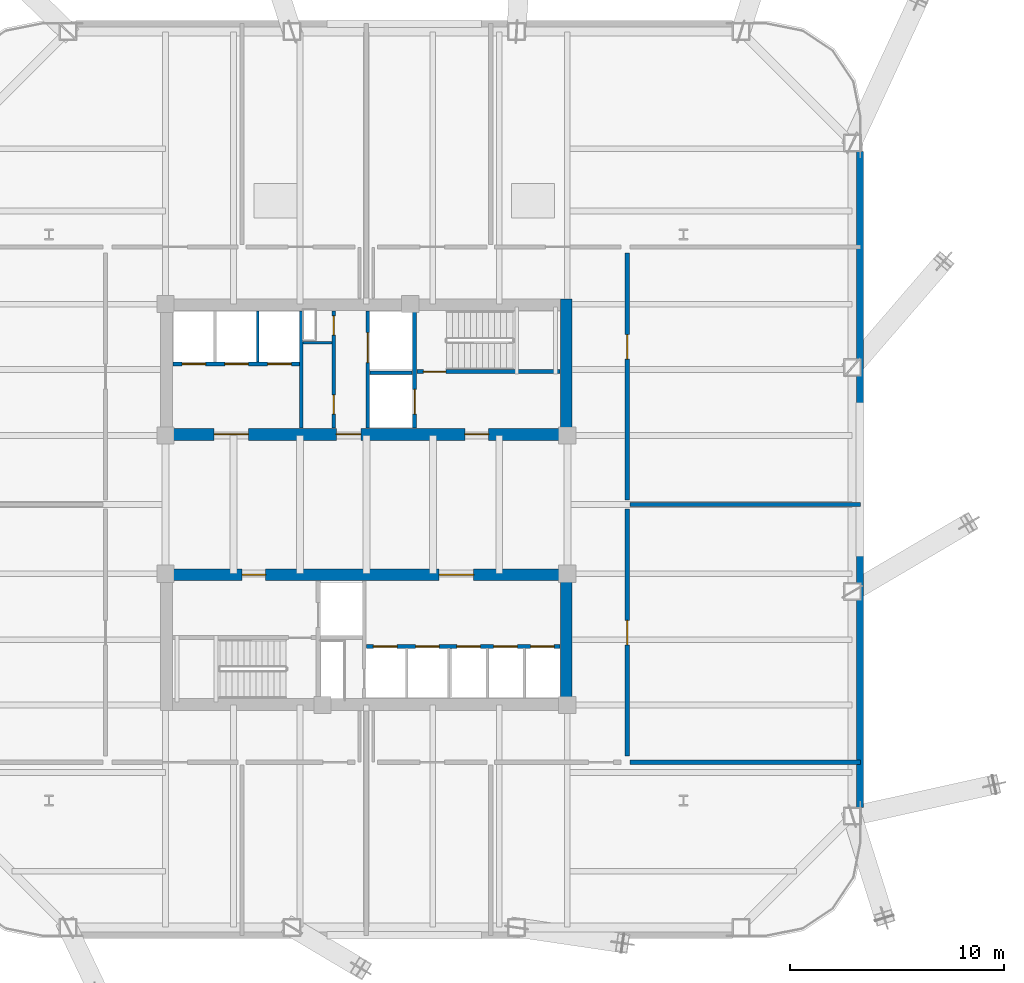
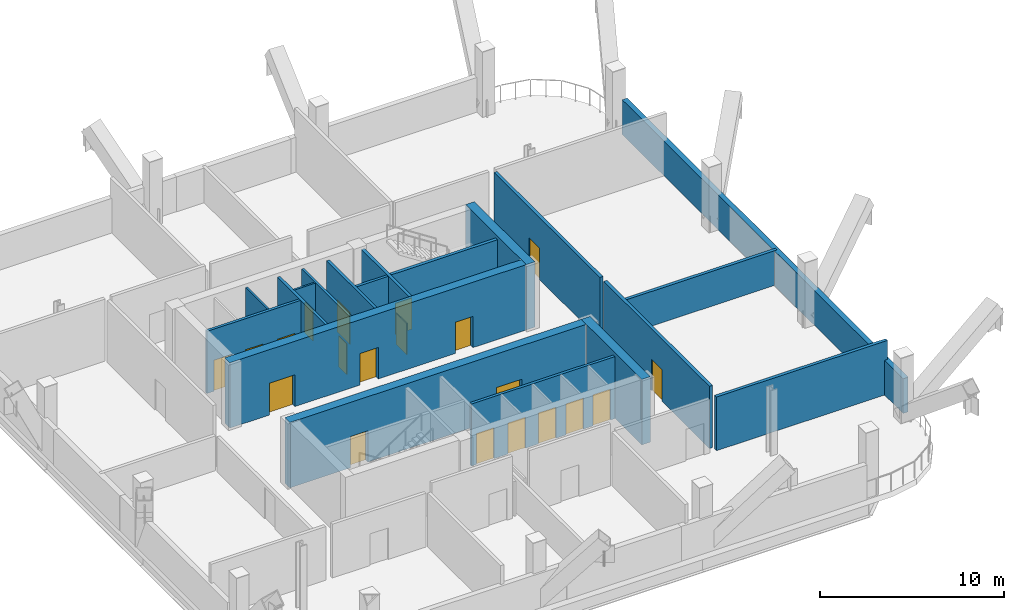
# One storey, part 4 of 8: 20 doors, 19 walls, 20 openings.
"""IFC4 building model written with IfcOpenShell, lengths in metres."""

from ifc_helpers import new_model, si_unit, direction, frame, frame_2d, origin, place, context, subcontext, project, spatial, rectangle, extrude, material, layer, layer_set, type_object, element, fill, save


model = new_model("IFC4")

# Units and contexts
model_context = context("Model", 3, precision=1e-05, world=origin(), true_north=direction((0.0, 1.0)))
body_context = subcontext(model_context, "Body", "Model", "MODEL_VIEW")
ifc_project = project(units=[si_unit("LENGTHUNIT", "METRE"), si_unit("AREAUNIT", "SQUARE_METRE"), si_unit("VOLUMEUNIT", "CUBIC_METRE"), si_unit("PLANEANGLEUNIT", "RADIAN"), si_unit("MASSUNIT", "GRAM", prefix="KILO")], contexts=[model_context])

# Site, building, storey
site_placement = place(None, origin())
site = spatial("IfcSite", under=ifc_project, at=site_placement, CompositionType="ELEMENT")
building_placement = place(site_placement, origin())
building = spatial("IfcBuilding", under=site, at=building_placement, Name="Qhalaya Broadcast Tower", CompositionType="ELEMENT")
storey_placement = place(building_placement, frame((0.0, 0.0, 65.10009765625)))
storey = spatial("IfcBuildingStorey", under=building, at=storey_placement, Name="L18", CompositionType="ELEMENT", Elevation=65.10009765625)

# Wall, openings, doors
ifc_material_1 = material(Name="Gypsum Acoustic Partition")
ifc_layer_1 = layer(ifc_material_1, 0.14990234375, Name="Gypsum Acoustic Partition")
ifc_layer_set_1 = layer_set([ifc_layer_1], Name="Gypsum Acoustic Partition")
wall_type_1 = type_object("IfcWallType", Name="Corridor & Tenancy Acoustic Partition 150", PredefinedType="PARTITIONING", material=ifc_layer_set_1)
wall_1_placement = place(storey_placement, frame((-1.52001953125, 4.169921875, 0.0), z_axis=(0.0, 0.0, 1.0), x_axis=(0.0, 1.0, 0.0)))
wall_1 = element("IfcWall", 1, at=wall_1_placement, inside=storey, type_object=wall_type_1, Name="L18 Partition Wall NCW-SVL", PredefinedType="PARTITIONING", context=body_context, shape_type="SweptSolid", body=[
    extrude(rectangle(XDim=5.4599609375, YDim=0.14990234375, at=frame_2d((2.72998046875, 0.0))), origin(), (0.0, 0.0, 1.0), 4.1298828125),
])
opening_1_placement = place(wall_1_placement, frame((4.330078125, 0.0, 0.0)))
opening_1 = element("IfcOpeningElement", 2, at=opening_1_placement, cuts=wall_1, Name="Opening D06", PredefinedType="OPENING", context=body_context, shape_type="SweptSolid", body=[
    extrude(rectangle(XDim=0.89990234375, YDim=2.050048828125, at=frame_2d((0.449951171875, 1.02490234375))), frame((0.0, 0.0869140625, 0.0), z_axis=(0.0, -1.0, 0.0), x_axis=(1.0, 0.0, 0.0)), (0.0, 0.0, 1.0), 0.173828125),
])
opening_2_placement = place(wall_1_placement, frame((0.64990234375, 0.0, 0.0)))
opening_2 = element("IfcOpeningElement", 3, at=opening_2_placement, cuts=wall_1, Name="Opening D06", PredefinedType="OPENING", context=body_context, shape_type="SweptSolid", body=[
    extrude(rectangle(XDim=0.89990234375, YDim=2.050048828125, at=frame_2d((0.449951171875, 1.02490234375))), frame((0.0, 0.0869140625, 0.0), z_axis=(0.0, -1.0, 0.0), x_axis=(1.0, 0.0, 0.0)), (0.0, 0.0, 1.0), 0.173828125),
])
ifc_material_2 = material(Name="Fire-Rated Steel Door", Category="steel")
door_type_1 = type_object("IfcDoorType", Name="Riser & Electrical Shaft Access Door D06", OperationType="NOTDEFINED", PredefinedType="DOOR", material=ifc_material_2)
door_1_placement = place(opening_1_placement, origin())
door_1 = element("IfcDoor", 4, at=door_1_placement, inside=storey, type_object=door_type_1, Name="L18 Riser Shaft Access Door D-NRSR", OperationType="SINGLE_SWING_RIGHT", OverallHeight=2.050048828125, OverallWidth=0.89990234375, PredefinedType="DOOR", context=body_context, shape_type="SweptSolid", body=[
    extrude(rectangle(XDim=0.89990234375, YDim=2.050048828125, at=frame_2d((0.449951171875, 1.02490234375))), frame((0.0, 0.02490234375, 0.0), z_axis=(0.0, -1.0, 0.0), x_axis=(1.0, 0.0, 0.0)), (0.0, 0.0, 1.0), 0.050048828125),
])
fill(opening_1, door_1)
door_2_placement = place(opening_2_placement, origin())
door_2 = element("IfcDoor", 5, at=door_2_placement, inside=storey, type_object=door_type_1, Name="L18 Door D-NCST", OperationType="SINGLE_SWING_LEFT", OverallHeight=2.050048828125, OverallWidth=0.89990234375, PredefinedType="DOOR", context=body_context, shape_type="SweptSolid", body=[
    extrude(rectangle(XDim=0.89990234375, YDim=2.050048828125, at=frame_2d((0.449951171875, 1.02490234375))), frame((0.0, 0.02490234375, 0.0), z_axis=(0.0, -1.0, 0.0), x_axis=(1.0, 0.0, 0.0)), (0.0, 0.0, 1.0), 0.050048828125),
])
fill(opening_2, door_2)

# Walls
ifc_layer_2 = layer(ifc_material_1, 0.199951171875, Name="Gypsum Acoustic Partition")
ifc_layer_set_2 = layer_set([ifc_layer_2], Name="Gypsum Acoustic Partition")
wall_type_2 = type_object("IfcWallType", Name="Firefighting Lobby & Stair Enclosure Wall 200", PredefinedType="PARTITIONING", material=ifc_layer_set_2)
wall_2_placement = place(storey_placement, frame((12.2900390625, -11.419921875, 0.0), z_axis=(0.0, 0.0, 1.0), x_axis=(1.0, 0.0, 0.0)))
element("IfcWall", 6, at=wall_2_placement, inside=storey, type_object=wall_type_2, Name="L18 Partition Wall W-PBSE", PredefinedType="PARTITIONING", context=body_context, shape_type="SweptSolid", body=[
    extrude(rectangle(XDim=10.760009765625, YDim=0.199951171875, at=frame_2d((5.3798828125, 0.0))), origin(), (0.0, 0.0, 1.0), 3.573974609375),
])
wall_3_placement = place(storey_placement, frame((12.2900390625, 0.60009765625, 0.0), z_axis=(0.0, 0.0, 1.0), x_axis=(1.0, 0.0, 0.0)))
element("IfcWall", 7, at=wall_3_placement, inside=storey, type_object=wall_type_2, Name="L18 Partition Wall W-PDE1", PredefinedType="PARTITIONING", context=body_context, shape_type="SweptSolid", body=[
    extrude(rectangle(XDim=10.760009765625, YDim=0.199951171875, at=frame_2d((5.3798828125, 0.0))), origin(), (0.0, 0.0, 1.0), 2.309814453125),
])

# Wall, opening, door
wall_4_placement = place(storey_placement, frame((12.169921875, -11.139892578125, 0.0), z_axis=(0.0, 0.0, 1.0), x_axis=(0.0, 1.0, 0.0)))
wall_4 = element("IfcWall", 8, at=wall_4_placement, inside=storey, type_object=wall_type_2, Name="L18 Partition Wall W-PCE1", PredefinedType="PARTITIONING", context=body_context, shape_type="SweptSolid", body=[
    extrude(rectangle(XDim=11.52978515625, YDim=0.199951171875, at=frame_2d((5.764892578125, 0.0))), origin(), (0.0, 0.0, 1.0), 4.1298828125),
])
opening_3_placement = place(wall_4_placement, frame((5.18994140625, 0.0, 0.0)))
opening_3 = element("IfcOpeningElement", 9, at=opening_3_placement, cuts=wall_4, Name="Opening D05", PredefinedType="OPENING", context=body_context, shape_type="SweptSolid", body=[
    extrude(rectangle(XDim=1.14990234375, YDim=2.10009765625, at=frame_2d((0.574951171875, 1.050048828125))), frame((0.0, 0.112060546875, 0.0), z_axis=(0.0, -1.0, 0.0), x_axis=(1.0, 0.0, 0.0)), (0.0, 0.0, 1.0), 0.223876953125),
])
door_type_2 = type_object("IfcDoorType", Name="Refuge & Plant Room Fire Door D05", OperationType="NOTDEFINED", PredefinedType="DOOR", material=ifc_material_2)
door_3_placement = place(opening_3_placement, origin())
door_3 = element("IfcDoor", 10, at=door_3_placement, inside=storey, type_object=door_type_2, Name="L18 Door D-PCE1", OperationType="SINGLE_SWING_RIGHT", OverallHeight=2.10009765625, OverallWidth=1.14990234375, PredefinedType="DOOR", context=body_context, shape_type="SweptSolid", body=[
    extrude(rectangle(XDim=1.14990234375, YDim=2.10009765625, at=frame_2d((0.574951171875, 1.050048828125))), frame((0.0, 0.02490234375, 0.0), z_axis=(0.0, -1.0, 0.0), x_axis=(1.0, 0.0, 0.0)), (0.0, 0.0, 1.0), 0.050048828125),
])
fill(opening_3, door_3)

wall_5_placement = place(storey_placement, frame((12.169921875, 0.81005859375, 0.0), z_axis=(0.0, 0.0, 1.0), x_axis=(0.0, 1.0, 0.0)))
wall_5 = element("IfcWall", 11, at=wall_5_placement, inside=storey, type_object=wall_type_2, Name="L18 Partition Wall W-PCE2", PredefinedType="PARTITIONING", context=body_context, shape_type="SweptSolid", body=[
    extrude(rectangle(XDim=11.530029296875, YDim=0.199951171875, at=frame_2d((5.76513671875, 0.0))), origin(), (0.0, 0.0, 1.0), 4.1298828125),
])
opening_4_placement = place(wall_5_placement, frame((6.573974609375, 0.0, 0.0)))
opening_4 = element("IfcOpeningElement", 12, at=opening_4_placement, cuts=wall_5, Name="Opening D05", PredefinedType="OPENING", context=body_context, shape_type="SweptSolid", body=[
    extrude(rectangle(XDim=1.14990234375, YDim=2.10009765625, at=frame_2d((0.574951171875, 1.050048828125))), frame((0.0, 0.112060546875, 0.0), z_axis=(0.0, -1.0, 0.0), x_axis=(1.0, 0.0, 0.0)), (0.0, 0.0, 1.0), 0.223876953125),
])
door_4_placement = place(opening_4_placement, origin())
door_4 = element("IfcDoor", 13, at=door_4_placement, inside=storey, type_object=door_type_2, Name="L18 Door D-PCE2", OperationType="SINGLE_SWING_LEFT", OverallHeight=2.10009765625, OverallWidth=1.14990234375, PredefinedType="DOOR", context=body_context, shape_type="SweptSolid", body=[
    extrude(rectangle(XDim=1.14990234375, YDim=2.10009765625, at=frame_2d((0.574951171875, 1.050048828125))), frame((0.0, 0.02490234375, 0.0), z_axis=(0.0, -1.0, 0.0), x_axis=(1.0, 0.0, 0.0)), (0.0, 0.0, 1.0), 0.050048828125),
])
fill(opening_4, door_4)

ifc_material_3 = material(Name="Concrete C50/60", Category="concrete")
ifc_layer_3 = layer(ifc_material_3, 0.199951171875, Name="Concrete C50/60")
ifc_layer_set_3 = layer_set([ifc_layer_3], Name="Concrete C50/60")
wall_type_3 = type_object("IfcWallType", Name="Load-Bearing Stair Shaft Wall 200", PredefinedType="SHEAR", material=ifc_layer_set_3)
wall_6_placement = place(storey_placement, frame((2.360107421875, 6.804931640625, 0.0), z_axis=(0.0, 0.0, 1.0), x_axis=(1.0, 0.0, 0.0)))
wall_6 = element("IfcWall", 14, at=wall_6_placement, inside=storey, type_object=wall_type_3, Name="L18 Stair Core Shear Wall NCW-ST1", PredefinedType="SHEAR", context=body_context, shape_type="SweptSolid", body=[
    extrude(rectangle(XDim=6.669921875, YDim=0.199951171875, at=frame_2d((3.3349609375, 0.0))), origin(), (0.0, 0.0, 1.0), 4.1298828125),
])
opening_5_placement = place(wall_6_placement, frame((0.300048828125, 0.0, 0.0)))
opening_5 = element("IfcOpeningElement", 15, at=opening_5_placement, cuts=wall_6, Name="Opening D03", PredefinedType="OPENING", context=body_context, shape_type="SweptSolid", body=[
    extrude(rectangle(XDim=1.050048828125, YDim=2.080078125, at=frame_2d((0.52490234375, 1.0400390625))), frame((0.0, 0.112060546875, 0.0), z_axis=(0.0, -1.0, 0.0), x_axis=(1.0, 0.0, 0.0)), (0.0, 0.0, 1.0), 0.223876953125),
])
door_type_3 = type_object("IfcDoorType", Name="Core Stair Protected Fire Door D03", OperationType="NOTDEFINED", PredefinedType="DOOR", material=ifc_material_2)
door_5_placement = place(opening_5_placement, origin())
door_5 = element("IfcDoor", 16, at=door_5_placement, inside=storey, type_object=door_type_3, Name="L18 Door D-NST1", OperationType="SINGLE_SWING_LEFT", OverallHeight=2.080078125, OverallWidth=1.050048828125, PredefinedType="DOOR", context=body_context, shape_type="SweptSolid", body=[
    extrude(rectangle(XDim=1.050048828125, YDim=2.080078125, at=frame_2d((0.52490234375, 1.0400390625))), frame((0.0, 0.02490234375, 0.0), z_axis=(0.0, -1.0, 0.0), x_axis=(1.0, 0.0, 0.0)), (0.0, 0.0, 1.0), 0.050048828125),
])
fill(opening_5, door_5)

wall_7_placement = place(storey_placement, frame((2.25, 4.169921875, 0.0), z_axis=(0.0, 0.0, 1.0), x_axis=(0.0, 1.0, 0.0)))
wall_7 = element("IfcWall", 17, at=wall_7_placement, inside=storey, type_object=wall_type_3, Name="L18 Stair Core Shear Wall NCW-FF", PredefinedType="SHEAR", context=body_context, shape_type="SweptSolid", body=[
    extrude(rectangle(XDim=5.4599609375, YDim=0.199951171875, at=frame_2d((2.72998046875, 0.0))), origin(), (0.0, 0.0, 1.0), 4.1298828125),
])
opening_6_placement = place(wall_7_placement, frame((0.64990234375, 0.0, 0.0)))
opening_6 = element("IfcOpeningElement", 18, at=opening_6_placement, cuts=wall_7, Name="Opening LD2", PredefinedType="OPENING", context=body_context, shape_type="SweptSolid", body=[
    extrude(rectangle(XDim=1.14990234375, YDim=2.080078125, at=frame_2d((0.574951171875, 1.0400390625))), frame((0.0, 0.112060546875, 0.0), z_axis=(0.0, -1.0, 0.0), x_axis=(1.0, 0.0, 0.0)), (0.0, 0.0, 1.0), 0.223876953125),
])
ifc_material_4 = material(Name="Brushed Stainless Steel Lift Door", Category="steel")
door_type_4 = type_object("IfcDoorType", Name="Firefighting Lift Sliding Landing Door LD2", OperationType="DOUBLE_DOOR_SLIDING", PredefinedType="DOOR", material=ifc_material_4)
door_6_placement = place(opening_6_placement, origin())
door_6 = element("IfcDoor", 19, at=door_6_placement, inside=storey, type_object=door_type_4, Name="L18 Door LD-FF1", OperationType="DOUBLE_DOOR_SLIDING", OverallHeight=2.080078125, OverallWidth=1.14990234375, PredefinedType="DOOR", context=body_context, shape_type="SweptSolid", body=[
    extrude(rectangle(XDim=1.14990234375, YDim=2.080078125, at=frame_2d((0.574951171875, 1.0400390625))), frame((0.0, 0.02490234375, 0.0), z_axis=(0.0, -1.0, 0.0), x_axis=(1.0, 0.0, 0.0)), (0.0, 0.0, 1.0), 0.050048828125),
])
fill(opening_6, door_6)

# Wall, openings, doors
ifc_material_5 = material(Name="Concrete C60/75", Category="concrete")
ifc_layer_4 = layer(ifc_material_5, 0.550048828125, Name="Concrete C60/75")
ifc_layer_set_4 = layer_set([ifc_layer_4], Name="Concrete C60/75")
wall_type_4 = type_object("IfcWallType", Name="Lower Split-Core Shear Wall 550", PredefinedType="SHEAR", material=ifc_layer_set_4)
wall_8_placement = place(storey_placement, frame((-9.60009765625, 3.875, 0.0), z_axis=(0.0, 0.0, 1.0), x_axis=(1.0, 0.0, 0.0)))
wall_8 = element("IfcWall", 20, at=wall_8_placement, inside=storey, type_object=wall_type_4, Name="L18 Split-Core Shear Wall CW-NS", PredefinedType="SHEAR", context=body_context, shape_type="SweptSolid", body=[
    extrude(rectangle(XDim=19.2001953125, YDim=0.550048828125, at=frame_2d((9.60009765625, 0.0))), origin(), (0.0, 0.0, 1.0), 4.349853515625),
])
opening_7_placement = place(wall_8_placement, frame((14.199951171875, 0.0, 0.0)))
opening_7 = element("IfcOpeningElement", 21, at=opening_7_placement, cuts=wall_8, Name="Opening D04", PredefinedType="OPENING", context=body_context, shape_type="SweptSolid", body=[
    extrude(rectangle(XDim=1.10009765625, YDim=2.080078125, at=frame_2d((0.550048828125, 1.0400390625))), frame((0.0, 0.287109375, 0.0), z_axis=(0.0, -1.0, 0.0), x_axis=(1.0, 0.0, 0.0)), (0.0, 0.0, 1.0), 0.573974609375),
])
opening_8_placement = place(wall_8_placement, frame((8.199951171875, 0.0, 0.0)))
opening_8 = element("IfcOpeningElement", 22, at=opening_8_placement, cuts=wall_8, Name="Opening D05", PredefinedType="OPENING", context=body_context, shape_type="SweptSolid", body=[
    extrude(rectangle(XDim=1.14990234375, YDim=2.10009765625, at=frame_2d((0.574951171875, 1.050048828125))), frame((0.0, 0.287109375, 0.0), z_axis=(0.0, -1.0, 0.0), x_axis=(1.0, 0.0, 0.0)), (0.0, 0.0, 1.0), 0.573974609375),
])
opening_9_placement = place(wall_8_placement, frame((2.5, 0.0, 0.0)))
opening_9 = element("IfcOpeningElement", 23, at=opening_9_placement, cuts=wall_8, Name="Opening D07", PredefinedType="OPENING", context=body_context, shape_type="SweptSolid", body=[
    extrude(rectangle(XDim=1.60009765625, YDim=2.1201171875, at=frame_2d((0.800048828125, 1.06005859375))), frame((0.0, 0.287109375, 0.0), z_axis=(0.0, -1.0, 0.0), x_axis=(1.0, 0.0, 0.0)), (0.0, 0.0, 1.0), 0.573974609375),
])
door_type_5 = type_object("IfcDoorType", Name="Firefighting Lobby Rated Door D04", OperationType="NOTDEFINED", PredefinedType="DOOR", material=ifc_material_2)
door_7_placement = place(opening_7_placement, origin())
door_7 = element("IfcDoor", 24, at=door_7_placement, inside=storey, type_object=door_type_5, Name="L18 Door D-NFF", OperationType="SINGLE_SWING_RIGHT", OverallHeight=2.080078125, OverallWidth=1.10009765625, PredefinedType="DOOR", context=body_context, shape_type="SweptSolid", body=[
    extrude(rectangle(XDim=1.10009765625, YDim=2.080078125, at=frame_2d((0.550048828125, 1.0400390625))), frame((0.0, 0.02490234375, 0.0), z_axis=(0.0, -1.0, 0.0), x_axis=(1.0, 0.0, 0.0)), (0.0, 0.0, 1.0), 0.050048828125),
])
fill(opening_7, door_7)
ifc_material_6 = material(Name="Anodised Aluminium Glazed Door", Category="aluminium")
door_type_6 = type_object("IfcDoorType", Name="Passenger Lift Lobby Double Glazed Door D07", OperationType="DOUBLE_DOOR_SINGLE_SWING", PredefinedType="DOOR", material=ifc_material_6)
door_8_placement = place(opening_9_placement, origin())
door_8 = element("IfcDoor", 25, at=door_8_placement, inside=storey, type_object=door_type_6, Name="L18 Door D-NPLL", OperationType="DOUBLE_DOOR_SINGLE_SWING", OverallHeight=2.1201171875, OverallWidth=1.60009765625, PredefinedType="DOOR", context=body_context, shape_type="SweptSolid", body=[
    extrude(rectangle(XDim=1.60009765625, YDim=2.1201171875, at=frame_2d((0.800048828125, 1.06005859375))), frame((0.0, 0.02490234375, 0.0), z_axis=(0.0, -1.0, 0.0), x_axis=(1.0, 0.0, 0.0)), (0.0, 0.0, 1.0), 0.050048828125),
])
fill(opening_9, door_8)
door_9_placement = place(opening_8_placement, origin())
door_9 = element("IfcDoor", 26, at=door_9_placement, inside=storey, type_object=door_type_2, Name="L18 Door D-NSVL", OperationType="SINGLE_SWING_LEFT", OverallHeight=2.10009765625, OverallWidth=1.14990234375, PredefinedType="DOOR", context=body_context, shape_type="SweptSolid", body=[
    extrude(rectangle(XDim=1.14990234375, YDim=2.10009765625, at=frame_2d((0.574951171875, 1.050048828125))), frame((0.0, 0.02490234375, 0.0), z_axis=(0.0, -1.0, 0.0), x_axis=(1.0, 0.0, 0.0)), (0.0, 0.0, 1.0), 0.050048828125),
])
fill(opening_8, door_9)

# Wall
wall_9_placement = place(storey_placement, frame((9.324951171875, 3.60009765625, 0.0), z_axis=(0.0, 0.0, 1.0), x_axis=(0.0, 1.0, 0.0)))
element("IfcWall", 27, at=wall_9_placement, inside=storey, type_object=wall_type_4, Name="L18 Split-Core Shear Wall CW-NE", PredefinedType="SHEAR", context=body_context, shape_type="SweptSolid", body=[
    extrude(rectangle(XDim=6.599853515625, YDim=0.550048828125, at=frame_2d((3.2998046875, 0.0))), origin(), (0.0, 0.0, 1.0), 4.349853515625),
])

# Wall, openings, doors
wall_10_placement = place(storey_placement, frame((-9.60009765625, -2.675048828125, 0.0), z_axis=(0.0, 0.0, 1.0), x_axis=(1.0, 0.0, 0.0)))
wall_10 = element("IfcWall", 28, at=wall_10_placement, inside=storey, type_object=wall_type_4, Name="L18 Split-Core Shear Wall CW-SN", PredefinedType="SHEAR", context=body_context, shape_type="SweptSolid", body=[
    extrude(rectangle(XDim=19.2001953125, YDim=0.550048828125, at=frame_2d((9.60009765625, 0.0))), origin(), (0.0, 0.0, 1.0), 4.349853515625),
])
opening_10_placement = place(wall_10_placement, frame((3.800048828125, 0.0, 0.0)))
opening_10 = element("IfcOpeningElement", 29, at=opening_10_placement, cuts=wall_10, Name="Opening D04", PredefinedType="OPENING", context=body_context, shape_type="SweptSolid", body=[
    extrude(rectangle(XDim=1.10009765625, YDim=2.080078125, at=frame_2d((0.550048828125, 1.0400390625))), frame((0.0, 0.287109375, 0.0), z_axis=(0.0, -1.0, 0.0), x_axis=(1.0, 0.0, 0.0)), (0.0, 0.0, 1.0), 0.573974609375),
])
opening_11_placement = place(wall_10_placement, frame((13.0, 0.0, 0.0)))
opening_11 = element("IfcOpeningElement", 30, at=opening_11_placement, cuts=wall_10, Name="Opening D07", PredefinedType="OPENING", context=body_context, shape_type="SweptSolid", body=[
    extrude(rectangle(XDim=1.60009765625, YDim=2.1201171875, at=frame_2d((0.800048828125, 1.06005859375))), frame((0.0, 0.287109375, 0.0), z_axis=(0.0, -1.0, 0.0), x_axis=(1.0, 0.0, 0.0)), (0.0, 0.0, 1.0), 0.573974609375),
])
door_10_placement = place(opening_10_placement, origin())
door_10 = element("IfcDoor", 31, at=door_10_placement, inside=storey, type_object=door_type_5, Name="L18 Door D-SFF", OperationType="SINGLE_SWING_LEFT", OverallHeight=2.080078125, OverallWidth=1.10009765625, PredefinedType="DOOR", context=body_context, shape_type="SweptSolid", body=[
    extrude(rectangle(XDim=1.10009765625, YDim=2.080078125, at=frame_2d((0.550048828125, 1.0400390625))), frame((0.0, 0.02490234375, 0.0), z_axis=(0.0, -1.0, 0.0), x_axis=(1.0, 0.0, 0.0)), (0.0, 0.0, 1.0), 0.050048828125),
])
fill(opening_10, door_10)
door_11_placement = place(opening_11_placement, origin())
door_11 = element("IfcDoor", 32, at=door_11_placement, inside=storey, type_object=door_type_6, Name="L18 Door D-SPLL", OperationType="DOUBLE_DOOR_SINGLE_SWING", OverallHeight=2.1201171875, OverallWidth=1.60009765625, PredefinedType="DOOR", context=body_context, shape_type="SweptSolid", body=[
    extrude(rectangle(XDim=1.60009765625, YDim=2.1201171875, at=frame_2d((0.800048828125, 1.06005859375))), frame((0.0, 0.02490234375, 0.0), z_axis=(0.0, -1.0, 0.0), x_axis=(1.0, 0.0, 0.0)), (0.0, 0.0, 1.0), 0.050048828125),
])
fill(opening_11, door_11)

# Walls
wall_11_placement = place(storey_placement, frame((9.324951171875, -9.0, 0.0), z_axis=(0.0, 0.0, 1.0), x_axis=(0.0, 1.0, 0.0)))
element("IfcWall", 33, at=wall_11_placement, inside=storey, type_object=wall_type_4, Name="L18 Split-Core Shear Wall CW-SE", PredefinedType="SHEAR", context=body_context, shape_type="SweptSolid", body=[
    extrude(rectangle(XDim=6.60009765625, YDim=0.550048828125, at=frame_2d((3.300048828125, 0.0))), origin(), (0.0, 0.0, 1.0), 4.349853515625),
])
ifc_layer_5 = layer(ifc_material_1, 0.1201171875, Name="Gypsum Acoustic Partition")
ifc_layer_set_5 = layer_set([ifc_layer_5], Name="Gypsum Acoustic Partition")
wall_type_5 = type_object("IfcWallType", Name="Office, Booth & Sanitary Partition 120", PredefinedType="PARTITIONING", material=ifc_layer_set_5)
wall_12_placement = place(storey_placement, frame((-2.9599609375, 8.14990234375, 0.0), z_axis=(0.0, 0.0, 1.0), x_axis=(1.0, 0.0, 0.0)))
element("IfcWall", 34, at=wall_12_placement, inside=storey, type_object=wall_type_5, Name="L18 Partition Wall NCW-VA", PredefinedType="PARTITIONING", context=body_context, shape_type="SweptSolid", body=[
    extrude(rectangle(XDim=1.35986328125, YDim=0.1201171875, at=frame_2d((0.679931640625, 0.0))), origin(), (0.0, 0.0, 1.0), 4.1298828125),
])
wall_13_placement = place(storey_placement, frame((-5.06005859375, 7.25, 0.0), z_axis=(0.0, 0.0, 1.0), x_axis=(0.0, 1.0, 0.0)))
element("IfcWall", 35, at=wall_13_placement, inside=storey, type_object=wall_type_5, Name="L18 Partition Wall NCW-PD2", PredefinedType="PARTITIONING", context=body_context, shape_type="SweptSolid", body=[
    extrude(rectangle(XDim=2.3798828125, YDim=0.1201171875, at=frame_2d((1.18994140625, 0.0))), origin(), (0.0, 0.0, 1.0), 4.1298828125),
])
ifc_material_7 = material(Name="Precast Concrete C40/50", Category="concrete")
ifc_layer_6 = layer(ifc_material_7, 0.320068359375, Name="Precast Concrete C40/50")
ifc_layer_set_6 = layer_set([ifc_layer_6], Name="Precast Concrete C40/50")
wall_type_6 = type_object("IfcWallType", Name="Recessed Neck Insulated Exterior Wall 320", PredefinedType="SOLIDWALL", material=ifc_layer_set_6)
wall_14_placement = place(storey_placement, frame((23.030029296875, 17.08203125, 0.0), z_axis=(0.0, 0.0, 1.0), x_axis=(0.0, -1.0, 0.0)))
element("IfcWall", 36, at=wall_14_placement, inside=storey, type_object=wall_type_6, Name="L18 Exterior Facade Wall E", PredefinedType="SOLIDWALL", context=body_context, shape_type="SweptSolid", body=[
    extrude(rectangle(XDim=30.6240234375, YDim=0.320068359375, at=frame_2d((15.31201171875, 0.0))), origin(), (0.0, 0.0, 1.0), 2.309814453125),
])

# Wall, opening, door
ifc_layer_7 = layer(ifc_material_1, 0.175048828125, Name="Gypsum Acoustic Partition")
ifc_layer_set_7 = layer_set([ifc_layer_7], Name="Gypsum Acoustic Partition")
wall_type_7 = type_object("IfcWallType", Name="Shaft & Riser Fire Partition 175", PredefinedType="PARTITIONING", material=ifc_layer_set_7)
wall_15_placement = place(storey_placement, frame((0.06005859375, 4.169921875, 0.0), z_axis=(0.0, 0.0, 1.0), x_axis=(0.0, 1.0, 0.0)))
wall_15 = element("IfcWall", 37, at=wall_15_placement, inside=storey, type_object=wall_type_7, Name="L18 Partition Wall NCW-SVW", PredefinedType="PARTITIONING", context=body_context, shape_type="SweptSolid", body=[
    extrude(rectangle(XDim=5.4599609375, YDim=0.175048828125, at=frame_2d((2.72998046875, 0.0))), origin(), (0.0, 0.0, 1.0), 4.1298828125),
])
opening_12_placement = place(wall_15_placement, frame((3.050048828125, 0.0, 0.0)))
opening_12 = element("IfcOpeningElement", 38, at=opening_12_placement, cuts=wall_15, Name="Opening LD3", PredefinedType="OPENING", context=body_context, shape_type="SweptSolid", body=[
    extrude(rectangle(XDim=1.39990234375, YDim=2.1201171875, at=frame_2d((0.699951171875, 1.06005859375))), frame((0.0, 0.099609375, 0.0), z_axis=(0.0, -1.0, 0.0), x_axis=(1.0, 0.0, 0.0)), (0.0, 0.0, 1.0), 0.198974609375),
])
door_type_7 = type_object("IfcDoorType", Name="Service Lift Wide Sliding Landing Door LD3", OperationType="DOUBLE_DOOR_SLIDING", PredefinedType="DOOR", material=ifc_material_4)
door_12_placement = place(opening_12_placement, origin())
door_12 = element("IfcDoor", 39, at=door_12_placement, inside=storey, type_object=door_type_7, Name="L18 Door LD-SV1", OperationType="DOUBLE_DOOR_SLIDING", OverallHeight=2.1201171875, OverallWidth=1.39990234375, PredefinedType="DOOR", context=body_context, shape_type="SweptSolid", body=[
    extrude(rectangle(XDim=1.39990234375, YDim=2.1201171875, at=frame_2d((0.699951171875, 1.06005859375))), frame((0.0, 0.02490234375, 0.0), z_axis=(0.0, -1.0, 0.0), x_axis=(1.0, 0.0, 0.0)), (0.0, 0.0, 1.0), 0.050048828125),
])
fill(opening_12, door_12)

# Walls
wall_16_placement = place(storey_placement, frame((0.159912109375, 6.75, 0.0), z_axis=(0.0, 0.0, 1.0), x_axis=(1.0, 0.0, 0.0)))
element("IfcWall", 40, at=wall_16_placement, inside=storey, type_object=wall_type_7, Name="L18 Partition Wall NCW-SVM", PredefinedType="PARTITIONING", context=body_context, shape_type="SweptSolid", body=[
    extrude(rectangle(XDim=1.97998046875, YDim=0.175048828125, at=frame_2d((0.989990234375, 0.0))), origin(), (0.0, 0.0, 1.0), 4.1298828125),
])
wall_17_placement = place(storey_placement, frame((-3.0400390625, 4.169921875, 0.0), z_axis=(0.0, 0.0, 1.0), x_axis=(0.0, 1.0, 0.0)))
element("IfcWall", 41, at=wall_17_placement, inside=storey, type_object=wall_type_7, Name="L18 Partition Wall NCW-VRW", PredefinedType="PARTITIONING", context=body_context, shape_type="SweptSolid", body=[
    extrude(rectangle(XDim=5.4599609375, YDim=0.175048828125, at=frame_2d((2.72998046875, 0.0))), origin(), (0.0, 0.0, 1.0), 4.1298828125),
])

# Wall, openings, doors
wall_18_placement = place(storey_placement, frame((-9.030029296875, 7.159912109375, 0.0), z_axis=(0.0, 0.0, 1.0), x_axis=(1.0, 0.0, 0.0)))
wall_18 = element("IfcWall", 42, at=wall_18_placement, inside=storey, type_object=wall_type_7, Name="L18 Partition Wall NCW-PLB", PredefinedType="PARTITIONING", context=body_context, shape_type="SweptSolid", body=[
    extrude(rectangle(XDim=5.909912109375, YDim=0.175048828125, at=frame_2d((2.955078125, 0.0))), origin(), (0.0, 0.0, 1.0), 4.1298828125),
])
opening_13_placement = place(wall_18_placement, frame((0.429931640625, 0.0, 0.0)))
opening_13 = element("IfcOpeningElement", 43, at=opening_13_placement, cuts=wall_18, Name="Opening LD1", PredefinedType="OPENING", context=body_context, shape_type="SweptSolid", body=[
    extrude(rectangle(XDim=1.10009765625, YDim=2.06005859375, at=frame_2d((0.550048828125, 1.030029296875))), frame((0.0, 0.099609375, 0.0), z_axis=(0.0, -1.0, 0.0), x_axis=(1.0, 0.0, 0.0)), (0.0, 0.0, 1.0), 0.198974609375),
])
opening_14_placement = place(wall_18_placement, frame((2.429931640625, 0.0, 0.0)))
opening_14 = element("IfcOpeningElement", 44, at=opening_14_placement, cuts=wall_18, Name="Opening LD1", PredefinedType="OPENING", context=body_context, shape_type="SweptSolid", body=[
    extrude(rectangle(XDim=1.10009765625, YDim=2.06005859375, at=frame_2d((0.550048828125, 1.030029296875))), frame((0.0, 0.099609375, 0.0), z_axis=(0.0, -1.0, 0.0), x_axis=(1.0, 0.0, 0.0)), (0.0, 0.0, 1.0), 0.198974609375),
])
opening_15_placement = place(wall_18_placement, frame((4.429931640625, 0.0, 0.0)))
opening_15 = element("IfcOpeningElement", 45, at=opening_15_placement, cuts=wall_18, Name="Opening LD1", PredefinedType="OPENING", context=body_context, shape_type="SweptSolid", body=[
    extrude(rectangle(XDim=1.10009765625, YDim=2.06005859375, at=frame_2d((0.550048828125, 1.030029296875))), frame((0.0, 0.099609375, 0.0), z_axis=(0.0, -1.0, 0.0), x_axis=(1.0, 0.0, 0.0)), (0.0, 0.0, 1.0), 0.198974609375),
])
door_type_8 = type_object("IfcDoorType", Name="Passenger Lift Sliding Landing Door LD1", OperationType="DOUBLE_DOOR_SLIDING", PredefinedType="DOOR", material=ifc_material_4)
door_13_placement = place(opening_13_placement, origin())
door_13 = element("IfcDoor", 46, at=door_13_placement, inside=storey, type_object=door_type_8, Name="L18 Door LD-P1", OperationType="DOUBLE_DOOR_SLIDING", OverallHeight=2.06005859375, OverallWidth=1.10009765625, PredefinedType="DOOR", context=body_context, shape_type="SweptSolid", body=[
    extrude(rectangle(XDim=1.10009765625, YDim=2.06005859375, at=frame_2d((0.550048828125, 1.030029296875))), frame((0.0, 0.02490234375, 0.0), z_axis=(0.0, -1.0, 0.0), x_axis=(1.0, 0.0, 0.0)), (0.0, 0.0, 1.0), 0.050048828125),
])
fill(opening_13, door_13)
door_14_placement = place(opening_14_placement, origin())
door_14 = element("IfcDoor", 47, at=door_14_placement, inside=storey, type_object=door_type_8, Name="L18 Door LD-P2", OperationType="DOUBLE_DOOR_SLIDING", OverallHeight=2.06005859375, OverallWidth=1.10009765625, PredefinedType="DOOR", context=body_context, shape_type="SweptSolid", body=[
    extrude(rectangle(XDim=1.10009765625, YDim=2.06005859375, at=frame_2d((0.550048828125, 1.030029296875))), frame((0.0, 0.02490234375, 0.0), z_axis=(0.0, -1.0, 0.0), x_axis=(1.0, 0.0, 0.0)), (0.0, 0.0, 1.0), 0.050048828125),
])
fill(opening_14, door_14)
door_15_placement = place(opening_15_placement, origin())
door_15 = element("IfcDoor", 48, at=door_15_placement, inside=storey, type_object=door_type_8, Name="L18 Door LD-P3", OperationType="DOUBLE_DOOR_SLIDING", OverallHeight=2.06005859375, OverallWidth=1.10009765625, PredefinedType="DOOR", context=body_context, shape_type="SweptSolid", body=[
    extrude(rectangle(XDim=1.10009765625, YDim=2.06005859375, at=frame_2d((0.550048828125, 1.030029296875))), frame((0.0, 0.02490234375, 0.0), z_axis=(0.0, -1.0, 0.0), x_axis=(1.0, 0.0, 0.0)), (0.0, 0.0, 1.0), 0.050048828125),
])
fill(opening_15, door_15)

wall_19_placement = place(storey_placement, frame((0.0, -6.02001953125, 0.0), z_axis=(0.0, 0.0, 1.0), x_axis=(1.0, 0.0, 0.0)))
wall_19 = element("IfcWall", 49, at=wall_19_placement, inside=storey, type_object=wall_type_7, Name="L18 Partition Wall SCW-SLB", PredefinedType="PARTITIONING", context=body_context, shape_type="SweptSolid", body=[
    extrude(rectangle(XDim=9.030029296875, YDim=0.175048828125, at=frame_2d((4.51513671875, 0.0))), origin(), (0.0, 0.0, 1.0), 4.1298828125),
])
opening_16_placement = place(wall_19_placement, frame((0.330078125, 0.0, 0.0)))
opening_16 = element("IfcOpeningElement", 50, at=opening_16_placement, cuts=wall_19, Name="Opening LD1", PredefinedType="OPENING", context=body_context, shape_type="SweptSolid", body=[
    extrude(rectangle(XDim=1.10009765625, YDim=2.06005859375, at=frame_2d((0.550048828125, 1.030029296875))), frame((0.0, 0.099609375, 0.0), z_axis=(0.0, -1.0, 0.0), x_axis=(1.0, 0.0, 0.0)), (0.0, 0.0, 1.0), 0.198974609375),
])
opening_17_placement = place(wall_19_placement, frame((2.300048828125, 0.0, 0.0)))
opening_17 = element("IfcOpeningElement", 51, at=opening_17_placement, cuts=wall_19, Name="Opening LD1", PredefinedType="OPENING", context=body_context, shape_type="SweptSolid", body=[
    extrude(rectangle(XDim=1.10009765625, YDim=2.06005859375, at=frame_2d((0.550048828125, 1.030029296875))), frame((0.0, 0.099609375, 0.0), z_axis=(0.0, -1.0, 0.0), x_axis=(1.0, 0.0, 0.0)), (0.0, 0.0, 1.0), 0.198974609375),
])
opening_18_placement = place(wall_19_placement, frame((4.219970703125, 0.0, 0.0)))
opening_18 = element("IfcOpeningElement", 52, at=opening_18_placement, cuts=wall_19, Name="Opening LD1", PredefinedType="OPENING", context=body_context, shape_type="SweptSolid", body=[
    extrude(rectangle(XDim=1.10009765625, YDim=2.06005859375, at=frame_2d((0.550048828125, 1.030029296875))), frame((0.0, 0.099609375, 0.0), z_axis=(0.0, -1.0, 0.0), x_axis=(1.0, 0.0, 0.0)), (0.0, 0.0, 1.0), 0.198974609375),
])
opening_19_placement = place(wall_19_placement, frame((5.93994140625, 0.0, 0.0)))
opening_19 = element("IfcOpeningElement", 53, at=opening_19_placement, cuts=wall_19, Name="Opening LD1", PredefinedType="OPENING", context=body_context, shape_type="SweptSolid", body=[
    extrude(rectangle(XDim=1.10009765625, YDim=2.06005859375, at=frame_2d((0.550048828125, 1.030029296875))), frame((0.0, 0.099609375, 0.0), z_axis=(0.0, -1.0, 0.0), x_axis=(1.0, 0.0, 0.0)), (0.0, 0.0, 1.0), 0.198974609375),
])
opening_20_placement = place(wall_19_placement, frame((7.659912109375, 0.0, 0.0)))
opening_20 = element("IfcOpeningElement", 54, at=opening_20_placement, cuts=wall_19, Name="Opening LD1", PredefinedType="OPENING", context=body_context, shape_type="SweptSolid", body=[
    extrude(rectangle(XDim=1.10009765625, YDim=2.06005859375, at=frame_2d((0.550048828125, 1.030029296875))), frame((0.0, 0.099609375, 0.0), z_axis=(0.0, -1.0, 0.0), x_axis=(1.0, 0.0, 0.0)), (0.0, 0.0, 1.0), 0.198974609375),
])
door_16_placement = place(opening_16_placement, origin())
door_16 = element("IfcDoor", 55, at=door_16_placement, inside=storey, type_object=door_type_8, Name="L18 Door LD-P4", OperationType="DOUBLE_DOOR_SLIDING", OverallHeight=2.06005859375, OverallWidth=1.10009765625, PredefinedType="DOOR", context=body_context, shape_type="SweptSolid", body=[
    extrude(rectangle(XDim=1.10009765625, YDim=2.06005859375, at=frame_2d((0.550048828125, 1.030029296875))), frame((0.0, 0.02490234375, 0.0), z_axis=(0.0, -1.0, 0.0), x_axis=(1.0, 0.0, 0.0)), (0.0, 0.0, 1.0), 0.050048828125),
])
fill(opening_16, door_16)
door_17_placement = place(opening_17_placement, origin())
door_17 = element("IfcDoor", 56, at=door_17_placement, inside=storey, type_object=door_type_8, Name="L18 Door LD-P5", OperationType="DOUBLE_DOOR_SLIDING", OverallHeight=2.06005859375, OverallWidth=1.10009765625, PredefinedType="DOOR", context=body_context, shape_type="SweptSolid", body=[
    extrude(rectangle(XDim=1.10009765625, YDim=2.06005859375, at=frame_2d((0.550048828125, 1.030029296875))), frame((0.0, 0.02490234375, 0.0), z_axis=(0.0, -1.0, 0.0), x_axis=(1.0, 0.0, 0.0)), (0.0, 0.0, 1.0), 0.050048828125),
])
fill(opening_17, door_17)
door_18_placement = place(opening_18_placement, origin())
door_18 = element("IfcDoor", 57, at=door_18_placement, inside=storey, type_object=door_type_8, Name="L18 Door LD-P6", OperationType="DOUBLE_DOOR_SLIDING", OverallHeight=2.06005859375, OverallWidth=1.10009765625, PredefinedType="DOOR", context=body_context, shape_type="SweptSolid", body=[
    extrude(rectangle(XDim=1.10009765625, YDim=2.06005859375, at=frame_2d((0.550048828125, 1.030029296875))), frame((0.0, 0.02490234375, 0.0), z_axis=(0.0, -1.0, 0.0), x_axis=(1.0, 0.0, 0.0)), (0.0, 0.0, 1.0), 0.050048828125),
])
fill(opening_18, door_18)
door_19_placement = place(opening_19_placement, origin())
door_19 = element("IfcDoor", 58, at=door_19_placement, inside=storey, type_object=door_type_8, Name="L18 Door LD-P7", OperationType="DOUBLE_DOOR_SLIDING", OverallHeight=2.06005859375, OverallWidth=1.10009765625, PredefinedType="DOOR", context=body_context, shape_type="SweptSolid", body=[
    extrude(rectangle(XDim=1.10009765625, YDim=2.06005859375, at=frame_2d((0.550048828125, 1.030029296875))), frame((0.0, 0.02490234375, 0.0), z_axis=(0.0, -1.0, 0.0), x_axis=(1.0, 0.0, 0.0)), (0.0, 0.0, 1.0), 0.050048828125),
])
fill(opening_19, door_19)
door_20_placement = place(opening_20_placement, origin())
door_20 = element("IfcDoor", 59, at=door_20_placement, inside=storey, type_object=door_type_8, Name="L18 Door LD-P8", OperationType="DOUBLE_DOOR_SLIDING", OverallHeight=2.06005859375, OverallWidth=1.10009765625, PredefinedType="DOOR", context=body_context, shape_type="SweptSolid", body=[
    extrude(rectangle(XDim=1.10009765625, YDim=2.06005859375, at=frame_2d((0.550048828125, 1.030029296875))), frame((0.0, 0.02490234375, 0.0), z_axis=(0.0, -1.0, 0.0), x_axis=(1.0, 0.0, 0.0)), (0.0, 0.0, 1.0), 0.050048828125),
])
fill(opening_20, door_20)

save(model, "model.ifc")
